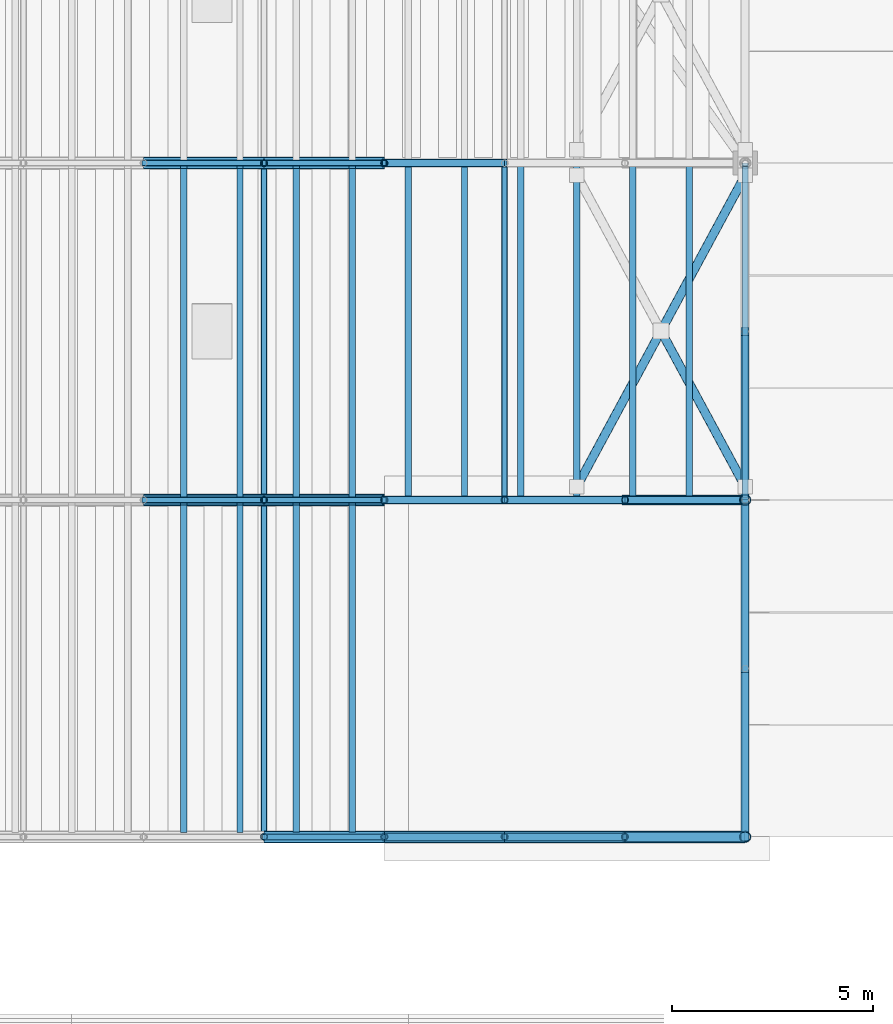
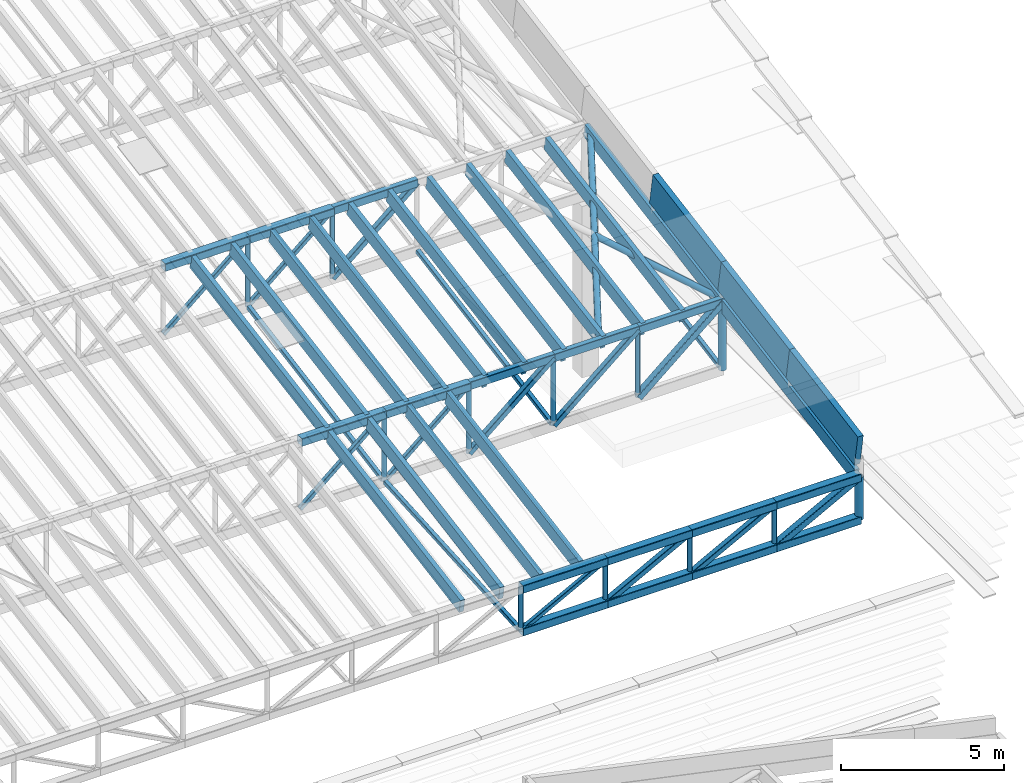
# One storey, part 47 of 91: 62 members, 3 beams.
"""IFC4 building model written with IfcOpenShell, lengths in metres."""

from ifc_helpers import new_model, si_unit, direction, frame, origin, origin_2d, place, context, subcontext, project, spatial, rectangle, hollow_rectangle, hollow_circle, extrude, material, material_profile, profile_set, type_object, element, save


model = new_model("IFC4")

# Units and contexts
model_context = context("Model", 3, precision=1e-05, world=origin(), true_north=direction((0.0, 1.0)))
body_context = subcontext(model_context, "Body", "Model", "MODEL_VIEW")
ifc_project = project(units=[si_unit("LENGTHUNIT", "METRE"), si_unit("AREAUNIT", "SQUARE_METRE"), si_unit("VOLUMEUNIT", "CUBIC_METRE"), si_unit("PLANEANGLEUNIT", "RADIAN"), si_unit("MASSUNIT", "GRAM", prefix="KILO")], contexts=[model_context])

# Site, building, storey
site_placement = place(None, origin())
site = spatial("IfcSite", under=ifc_project, at=site_placement, CompositionType="ELEMENT")
building_placement = place(site_placement, origin())
building = spatial("IfcBuilding", under=site, at=building_placement, Name="Almond Square Museum", CompositionType="ELEMENT")
storey_placement = place(building_placement, frame((0.0, 0.0, 30.0)))
storey = spatial("IfcBuildingStorey", under=building, at=storey_placement, Name="L05", CompositionType="ELEMENT", Elevation=30.0)

# Members
ifc_material_1 = material(Name="Glulam GL28h", Category="wood")
ifc_material_profile_1 = material_profile(ifc_material_1, rectangle(XDim=0.159912109375, YDim=0.5, at=origin_2d()))
ifc_profile_set_1 = profile_set([ifc_material_profile_1], Name="Glulam GL28h")
member_type_1 = type_object("IfcMemberType", Name="Glulam rafter GL28h 160x500", PredefinedType="RAFTER", material=ifc_profile_set_1)
for number, where, z_axis, x_axis, name in (
    (1, (134.800048828125, 50.550048828125, 6.1708984375), (0.0, 0.985026965331, 0.172400340983), (-1.0, 0.0, 0.0), "Hall rafter 1.21"),
    (2, (136.199951171875, 50.550048828125, 6.1708984375), (0.0, 0.985026965331, 0.172400340983), (-1.0, 0.0, 0.0), "Hall rafter 1.22"),
    (3, (137.60009765625, 50.550048828125, 6.1708984375), (0.0, 0.985026965331, 0.172400340983), (-1.0, 0.0, 0.0), "Hall rafter 1.23"),
    (4, (139.0, 50.550048828125, 6.1708984375), (0.0, 0.985026965331, 0.172400340983), (-1.0, 0.0, 0.0), "Hall rafter 1.24"),
):
    element("IfcMember", number, at=place(storey_placement, frame(where, z_axis=z_axis, x_axis=x_axis)), inside=storey, type_object=member_type_1, Name=name, PredefinedType="RAFTER", context=body_context, shape_type="SweptSolid", body=[
        extrude(rectangle(XDim=0.159912109375, YDim=0.5, at=origin_2d()), origin(), (0.0, 0.0, 1.0), 8.287109375),
    ])
member_1_placement = place(storey_placement, frame((148.800048828125, 50.550048828125, 6.1708984375), z_axis=(0.0, 0.985031337218, 0.172375359894), x_axis=(-1.0, 0.0, 0.0)))
element("IfcMember", 5, at=member_1_placement, inside=storey, type_object=member_type_1, Name="Hall rafter 1.31", PredefinedType="RAFTER", context=body_context, shape_type="SweptSolid", body=[
    extrude(rectangle(XDim=0.159912109375, YDim=0.5, at=origin_2d()), origin(), (0.0, 0.0, 1.0), 8.337890625),
])
for number, where, z_axis, x_axis, name in (
    (6, (134.800048828125, 58.830078125, 7.619873046875), (0.0, 0.985026646226, 0.172402164214), (-1.0, 0.0, 0.0), "Hall rafter 2.21"),
    (7, (136.199951171875, 58.830078125, 7.619873046875), (0.0, 0.985026646226, 0.172402164214), (-1.0, 0.0, 0.0), "Hall rafter 2.22"),
    (8, (137.60009765625, 58.830078125, 7.619873046875), (0.0, 0.985026646226, 0.172402164214), (-1.0, 0.0, 0.0), "Hall rafter 2.23"),
    (9, (139.0, 58.830078125, 7.619873046875), (0.0, 0.985026646226, 0.172402164214), (-1.0, 0.0, 0.0), "Hall rafter 2.24"),
):
    element("IfcMember", number, at=place(storey_placement, frame(where, z_axis=z_axis, x_axis=x_axis)), inside=storey, type_object=member_type_1, Name=name, PredefinedType="RAFTER", context=body_context, shape_type="SweptSolid", body=[
        extrude(rectangle(XDim=0.159912109375, YDim=0.5, at=origin_2d()), origin(), (0.0, 0.0, 1.0), 8.408935546875),
    ])
for number, where, z_axis, x_axis, name in (
    (10, (140.39990234375, 58.830078125, 7.619873046875), (0.0, 0.985030957185, 0.172377531562), (-1.0, 0.0, 0.0), "Hall rafter 2.25"),
    (11, (141.800048828125, 58.830078125, 7.619873046875), (0.0, 0.985030957185, 0.172377531562), (-1.0, 0.0, 0.0), "Hall rafter 2.26"),
    (12, (143.199951171875, 58.830078125, 7.619873046875), (0.0, 0.985030957185, 0.172377531562), (-1.0, 0.0, 0.0), "Hall rafter 2.27"),
    (13, (144.60009765625, 58.830078125, 7.619873046875), (0.0, 0.985030957185, 0.172377531562), (-1.0, 0.0, 0.0), "Hall rafter 2.28"),
    (14, (146.0, 58.830078125, 7.619873046875), (0.0, 0.985030957185, 0.172377531562), (-1.0, 0.0, 0.0), "Hall rafter 2.29"),
    (15, (147.39990234375, 58.830078125, 7.619873046875), (0.0, 0.985030957185, 0.172377531562), (-1.0, 0.0, 0.0), "Hall rafter 2.30"),
    (16, (148.800048828125, 58.830078125, 7.619873046875), (0.0, 0.985030957185, 0.172377531562), (-1.0, 0.0, 0.0), "Hall rafter 2.31"),
):
    element("IfcMember", number, at=place(storey_placement, frame(where, z_axis=z_axis, x_axis=x_axis)), inside=storey, type_object=member_type_1, Name=name, PredefinedType="RAFTER", context=body_context, shape_type="SweptSolid", body=[
        extrude(rectangle(XDim=0.159912109375, YDim=0.5, at=origin_2d()), origin(), (0.0, 0.0, 1.0), 8.459716796875),
    ])

# Beams
ifc_material_2 = material(Name="Glulam GL28h", Category="wood")
ifc_material_profile_2 = material_profile(ifc_material_2, rectangle(XDim=0.199951171875, YDim=1.199951171875, at=origin_2d()))
ifc_profile_set_2 = profile_set([ifc_material_profile_2], Name="Glulam GL28h")
beam_type = type_object("IfcBeamType", Name="Rake fascia beam GL28h 200x1200", PredefinedType="BEAM", material=ifc_profile_set_2)
beam_1_placement = place(storey_placement, frame((148.800048828125, 50.39990234375, 7.199951171875), z_axis=(0.0, 0.98502755041, 0.17239699804), x_axis=(-1.0, 0.0, 0.0)))
element("IfcBeam", 17, at=beam_1_placement, inside=storey, type_object=beam_type, Name="Gable rake fascia E 1", PredefinedType="BEAM", context=body_context, shape_type="SweptSolid", body=[
    extrude(rectangle(XDim=0.199951171875, YDim=1.199951171875, at=origin_2d()), origin(), (0.0, 0.0, 1.0), 4.26416015625),
])
beam_2_placement = place(storey_placement, frame((148.800048828125, 54.60009765625, 7.93505859375), z_axis=(0.0, 0.98503557112, 0.172351163697), x_axis=(-1.0, 0.0, 0.0)))
element("IfcBeam", 18, at=beam_2_placement, inside=storey, type_object=beam_type, Name="Gable rake fascia E 2", PredefinedType="BEAM", context=body_context, shape_type="SweptSolid", body=[
    extrude(rectangle(XDim=0.199951171875, YDim=1.199951171875, at=origin_2d()), origin(), (0.0, 0.0, 1.0), 4.263671875),
])
beam_3_placement = place(storey_placement, frame((148.800048828125, 58.800048828125, 8.669921875), z_axis=(0.0, 0.985025848584, 0.172406721507), x_axis=(-1.0, 0.0, 0.0)))
element("IfcBeam", 19, at=beam_3_placement, inside=storey, type_object=beam_type, Name="Gable rake fascia E 3", PredefinedType="BEAM", context=body_context, shape_type="SweptSolid", body=[
    extrude(rectangle(XDim=0.199951171875, YDim=1.199951171875, at=origin_2d()), origin(), (0.0, 0.0, 1.0), 4.263916015625),
])

# Members
ifc_material_3 = material(Name="Structural steel S355", Category="steel")
ifc_material_profile_3 = material_profile(ifc_material_3, hollow_circle(Radius=0.109619140625, WallThickness=0.010009765625, at=origin_2d()))
ifc_profile_set_3 = profile_set([ifc_material_profile_3], Name="Structural steel S355")
member_type_2 = type_object("IfcMemberType", Name="Roof brace CHS 219.1x10", PredefinedType="BRACE", material=ifc_profile_set_3)
member_2_placement = place(storey_placement, frame((144.60009765625, 59.1298828125, 7.67236328125), z_axis=(0.469974280677, 0.869464712946, 0.15216861846), x_axis=(-0.879709326121, 0.475511831121, 0.0)))
element("IfcMember", 20, at=member_2_placement, inside=storey, type_object=member_type_2, Name="Hall roof plane brace 2", PredefinedType="BRACE", context=body_context, shape_type="SweptSolid", body=[
    extrude(hollow_circle(Radius=0.109619140625, WallThickness=0.010009765625, at=origin_2d()), origin(), (0.0, 0.0, 1.0), 8.9365234375),
])
member_3_placement = place(storey_placement, frame((148.800048828125, 59.1298828125, 7.67236328125), z_axis=(-0.46999556541, 0.86945354945, 0.15216666469), x_axis=(-0.879697763355, -0.475533221918, 0.0)))
element("IfcMember", 21, at=member_3_placement, inside=storey, type_object=member_type_2, Name="Hall roof plane brace 2", PredefinedType="BRACE", context=body_context, shape_type="SweptSolid", body=[
    extrude(hollow_circle(Radius=0.109619140625, WallThickness=0.010009765625, at=origin_2d()), origin(), (0.0, 0.0, 1.0), 4.46826171875),
])
ifc_material_4 = material(Name="Structural steel S355", Category="steel")
ifc_material_profile_4 = material_profile(ifc_material_4, hollow_rectangle(XDim=0.199951171875, YDim=0.300048828125, WallThickness=0.010009765625, InnerFilletRadius=0.014892578125, OuterFilletRadius=0.02490234375, at=origin_2d()))
ifc_profile_set_4 = profile_set([ifc_material_profile_4], Name="Structural steel S355")
member_type_3 = type_object("IfcMemberType", Name="Truss chord RHS 300x200x10", PredefinedType="CHORD", material=ifc_profile_set_4)
for number, where, z_axis, x_axis, name in (
    (22, (139.800048828125, 58.800048828125, 7.718505859375), (1.0, 0.0, 0.0), (0.0, 1.0, 0.0), "TR-02 top chord 12"),
    (23, (142.800048828125, 58.800048828125, 7.718505859375), (1.0, 0.0, 0.0), (0.0, 1.0, 0.0), "TR-02 top chord 13"),
    (24, (145.800048828125, 58.800048828125, 7.718505859375), (1.0, 0.0, 0.0), (0.0, 1.0, 0.0), "TR-02 top chord 14"),
    (25, (139.800048828125, 67.199951171875, 9.1884765625), (1.0, 0.0, 0.0), (0.0, 1.0, 0.0), "TR-03 top chord 12"),
):
    element("IfcMember", number, at=place(storey_placement, frame(where, z_axis=z_axis, x_axis=x_axis)), inside=storey, type_object=member_type_3, Name=name, PredefinedType="CHORD", context=body_context, shape_type="SweptSolid", body=[
        extrude(hollow_rectangle(XDim=0.199951171875, YDim=0.300048828125, WallThickness=0.010009765625, InnerFilletRadius=0.014892578125, OuterFilletRadius=0.02490234375, at=origin_2d()), origin(), (0.0, 0.0, 1.0), 3.0),
    ])
ifc_material_5 = material(Name="Structural steel S355", Category="steel")
ifc_material_profile_5 = material_profile(ifc_material_5, hollow_rectangle(XDim=0.300048828125, YDim=0.300048828125, WallThickness=0.012451171875, InnerFilletRadius=0.02490234375, OuterFilletRadius=0.03759765625, at=origin_2d()))
ifc_profile_set_5 = profile_set([ifc_material_profile_5], Name="Structural steel S355")
member_type_4 = type_object("IfcMemberType", Name="Truss chord SHS 300x300x12.5", PredefinedType="CHORD", material=ifc_profile_set_5)
for number, where, z_axis, x_axis, name in (
    (26, (136.800048828125, 50.39990234375, 6.24853515625), (1.0, 0.0, 0.0), (0.0, 1.0, 0.0), "TR-01 top chord 11"),
    (27, (136.800048828125, 50.39990234375, 4.64990234375), (1.0, 0.0, 0.0), (0.0, 1.0, 0.0), "TR-01 bottom chord 11"),
    (28, (139.800048828125, 50.39990234375, 6.24853515625), (1.0, 0.0, 0.0), (0.0, 1.0, 0.0), "TR-01 top chord 12"),
    (29, (139.800048828125, 50.39990234375, 4.64990234375), (1.0, 0.0, 0.0), (0.0, 1.0, 0.0), "TR-01 bottom chord 12"),
    (30, (142.800048828125, 50.39990234375, 6.24853515625), (1.0, 0.0, 0.0), (0.0, 1.0, 0.0), "TR-01 top chord 13"),
    (31, (142.800048828125, 50.39990234375, 4.64990234375), (1.0, 0.0, 0.0), (0.0, 1.0, 0.0), "TR-01 bottom chord 13"),
    (32, (145.800048828125, 50.39990234375, 6.24853515625), (1.0, 0.0, 0.0), (0.0, 1.0, 0.0), "TR-01 top chord 14"),
    (33, (145.800048828125, 50.39990234375, 4.64990234375), (1.0, 0.0, 0.0), (0.0, 1.0, 0.0), "TR-01 bottom chord 14"),
    (34, (133.800048828125, 58.800048828125, 7.718505859375), (1.0, 0.0, 0.0), (0.0, 1.0, 0.0), "TR-02 top chord 10"),
    (35, (136.800048828125, 58.800048828125, 7.718505859375), (1.0, 0.0, 0.0), (0.0, 1.0, 0.0), "TR-02 top chord 11"),
    (36, (133.800048828125, 67.199951171875, 9.1884765625), (1.0, 0.0, 0.0), (0.0, 1.0, 0.0), "TR-03 top chord 10"),
    (37, (136.800048828125, 67.199951171875, 9.1884765625), (1.0, 0.0, 0.0), (0.0, 1.0, 0.0), "TR-03 top chord 11"),
):
    element("IfcMember", number, at=place(storey_placement, frame(where, z_axis=z_axis, x_axis=x_axis)), inside=storey, type_object=member_type_4, Name=name, PredefinedType="CHORD", context=body_context, shape_type="SweptSolid", body=[
        extrude(hollow_rectangle(XDim=0.300048828125, YDim=0.300048828125, WallThickness=0.012451171875, InnerFilletRadius=0.02490234375, OuterFilletRadius=0.03759765625, at=origin_2d()), origin(), (0.0, 0.0, 1.0), 3.0),
    ])
ifc_material_6 = material(Name="Structural steel S355", Category="steel")
ifc_material_profile_6 = material_profile(ifc_material_6, hollow_rectangle(XDim=0.14990234375, YDim=0.14990234375, WallThickness=0.008056640625, InnerFilletRadius=0.011962890625, OuterFilletRadius=0.02001953125, at=origin_2d()))
ifc_profile_set_6 = profile_set([ifc_material_profile_6], Name="Structural steel S355")
member_type_5 = type_object("IfcMemberType", Name="Truss diagonal SHS 150x150x8", PredefinedType="BRACE", material=ifc_profile_set_6)
member_4_placement = place(storey_placement, frame((136.800048828125, 50.39990234375, 4.64990234375), z_axis=(0.882519884946, 0.0, 0.47027508192), x_axis=(0.0, 1.0, 0.0)))
element("IfcMember", 38, at=member_4_placement, inside=storey, type_object=member_type_5, Name="TR-01 diagonal 11", PredefinedType="BRACE", context=body_context, shape_type="SweptSolid", body=[
    extrude(hollow_rectangle(XDim=0.14990234375, YDim=0.14990234375, WallThickness=0.008056640625, InnerFilletRadius=0.011962890625, OuterFilletRadius=0.02001953125, at=origin_2d()), origin(), (0.0, 0.0, 1.0), 3.3994140625),
])
for number, where, z_axis, x_axis, name in (
    (39, (133.800048828125, 58.800048828125, 5.169921875), (0.762116801264, 0.0, 0.647439557975), (0.0, 1.0, 0.0), "TR-02 diagonal 10"),
    (40, (136.800048828125, 58.800048828125, 5.169921875), (0.762116801264, 0.0, 0.647439557975), (0.0, 1.0, 0.0), "TR-02 diagonal 11"),
    (41, (133.800048828125, 67.199951171875, 6.639892578125), (0.762116801264, 0.0, 0.647439557975), (0.0, 1.0, 0.0), "TR-03 diagonal 10"),
    (42, (136.800048828125, 67.199951171875, 6.639892578125), (0.762116801264, 0.0, 0.647439557975), (0.0, 1.0, 0.0), "TR-03 diagonal 11"),
):
    element("IfcMember", number, at=place(storey_placement, frame(where, z_axis=z_axis, x_axis=x_axis)), inside=storey, type_object=member_type_5, Name=name, PredefinedType="BRACE", context=body_context, shape_type="SweptSolid", body=[
        extrude(hollow_rectangle(XDim=0.14990234375, YDim=0.14990234375, WallThickness=0.008056640625, InnerFilletRadius=0.011962890625, OuterFilletRadius=0.02001953125, at=origin_2d()), origin(), (0.0, 0.0, 1.0), 3.9365234375),
    ])
ifc_material_7 = material(Name="Structural steel S355", Category="steel")
ifc_material_profile_7 = material_profile(ifc_material_7, hollow_rectangle(XDim=0.199951171875, YDim=0.199951171875, WallThickness=0.010009765625, InnerFilletRadius=0.014892578125, OuterFilletRadius=0.02490234375, at=origin_2d()))
ifc_profile_set_7 = profile_set([ifc_material_profile_7], Name="Structural steel S355")
member_type_6 = type_object("IfcMemberType", Name="Truss diagonal SHS 200x200x10", PredefinedType="BRACE", material=ifc_profile_set_7)
for number, where, z_axis, x_axis, name in (
    (43, (139.800048828125, 50.39990234375, 4.64990234375), (0.882519884946, 0.0, 0.47027508192), (0.0, 1.0, 0.0), "TR-01 diagonal 12"),
    (44, (142.800048828125, 50.39990234375, 4.64990234375), (0.882519884946, 0.0, 0.47027508192), (0.0, 1.0, 0.0), "TR-01 diagonal 13"),
):
    element("IfcMember", number, at=place(storey_placement, frame(where, z_axis=z_axis, x_axis=x_axis)), inside=storey, type_object=member_type_6, Name=name, PredefinedType="BRACE", context=body_context, shape_type="SweptSolid", body=[
        extrude(hollow_rectangle(XDim=0.199951171875, YDim=0.199951171875, WallThickness=0.010009765625, InnerFilletRadius=0.014892578125, OuterFilletRadius=0.02490234375, at=origin_2d()), origin(), (0.0, 0.0, 1.0), 3.3994140625),
    ])
for number, where, z_axis, x_axis, name in (
    (45, (139.800048828125, 58.800048828125, 5.169921875), (0.762116801264, 0.0, 0.647439557975), (0.0, 1.0, 0.0), "TR-02 diagonal 12"),
    (46, (142.800048828125, 58.800048828125, 5.169921875), (0.762116801264, 0.0, 0.647439557975), (0.0, 1.0, 0.0), "TR-02 diagonal 13"),
    (47, (139.800048828125, 67.199951171875, 6.639892578125), (0.762116801264, 0.0, 0.647439557975), (0.0, 1.0, 0.0), "TR-03 diagonal 12"),
):
    element("IfcMember", number, at=place(storey_placement, frame(where, z_axis=z_axis, x_axis=x_axis)), inside=storey, type_object=member_type_6, Name=name, PredefinedType="BRACE", context=body_context, shape_type="SweptSolid", body=[
        extrude(hollow_rectangle(XDim=0.199951171875, YDim=0.199951171875, WallThickness=0.010009765625, InnerFilletRadius=0.014892578125, OuterFilletRadius=0.02490234375, at=origin_2d()), origin(), (0.0, 0.0, 1.0), 3.9365234375),
    ])
ifc_material_8 = material(Name="Structural steel S355", Category="steel")
ifc_material_profile_8 = material_profile(ifc_material_8, hollow_rectangle(XDim=0.25, YDim=0.25, WallThickness=0.012451171875, InnerFilletRadius=0.02490234375, OuterFilletRadius=0.03759765625, at=origin_2d()))
ifc_profile_set_8 = profile_set([ifc_material_profile_8], Name="Structural steel S355")
member_type_7 = type_object("IfcMemberType", Name="Truss diagonal SHS 250x250x12.5", PredefinedType="BRACE", material=ifc_profile_set_8)
member_5_placement = place(storey_placement, frame((145.800048828125, 50.39990234375, 4.64990234375), z_axis=(0.882519884946, 0.0, 0.47027508192), x_axis=(0.0, 1.0, 0.0)))
element("IfcMember", 48, at=member_5_placement, inside=storey, type_object=member_type_7, Name="TR-01 diagonal 14", PredefinedType="BRACE", context=body_context, shape_type="SweptSolid", body=[
    extrude(hollow_rectangle(XDim=0.25, YDim=0.25, WallThickness=0.012451171875, InnerFilletRadius=0.02490234375, OuterFilletRadius=0.03759765625, at=origin_2d()), origin(), (0.0, 0.0, 1.0), 3.3994140625),
])
member_6_placement = place(storey_placement, frame((145.800048828125, 58.800048828125, 5.169921875), z_axis=(0.762116801264, 0.0, 0.647439557975), x_axis=(0.0, 1.0, 0.0)))
element("IfcMember", 49, at=member_6_placement, inside=storey, type_object=member_type_7, Name="TR-02 diagonal 14", PredefinedType="BRACE", context=body_context, shape_type="SweptSolid", body=[
    extrude(hollow_rectangle(XDim=0.25, YDim=0.25, WallThickness=0.012451171875, InnerFilletRadius=0.02490234375, OuterFilletRadius=0.03759765625, at=origin_2d()), origin(), (0.0, 0.0, 1.0), 3.9365234375),
])
ifc_material_9 = material(Name="Structural steel S355", Category="steel")
ifc_material_profile_9 = material_profile(ifc_material_9, hollow_circle(Radius=0.084228515625, WallThickness=0.008056640625, at=origin_2d()))
ifc_profile_set_9 = profile_set([ifc_material_profile_9], Name="Structural steel S355")
member_type_8 = type_object("IfcMemberType", Name="Truss post CHS 168.3x8", PredefinedType="POST", material=ifc_profile_set_9)
for number, where, z_axis, x_axis, name in (
    (50, (136.800048828125, 50.39990234375, 4.64990234375), (0.0, 0.0, 1.0), (1.0, 0.0, 0.0), "TR-01 post 11"),
    (51, (139.800048828125, 50.39990234375, 4.64990234375), (0.0, 0.0, 1.0), (1.0, 0.0, 0.0), "TR-01 post 12"),
    (52, (142.800048828125, 50.39990234375, 4.64990234375), (0.0, 0.0, 1.0), (1.0, 0.0, 0.0), "TR-01 post 13"),
    (53, (145.800048828125, 50.39990234375, 4.64990234375), (0.0, 0.0, 1.0), (1.0, 0.0, 0.0), "TR-01 post 14"),
):
    element("IfcMember", number, at=place(storey_placement, frame(where, z_axis=z_axis, x_axis=x_axis)), inside=storey, type_object=member_type_8, Name=name, PredefinedType="POST", context=body_context, shape_type="SweptSolid", body=[
        extrude(hollow_circle(Radius=0.084228515625, WallThickness=0.008056640625, at=origin_2d()), origin(), (0.0, 0.0, 1.0), 1.5986328125),
    ])
for number, where, z_axis, x_axis, name in (
    (54, (136.800048828125, 58.800048828125, 5.169921875), (0.0, 0.0, 1.0), (1.0, 0.0, 0.0), "TR-02 post 11"),
    (55, (139.800048828125, 58.800048828125, 5.169921875), (0.0, 0.0, 1.0), (1.0, 0.0, 0.0), "TR-02 post 12"),
    (56, (142.800048828125, 58.800048828125, 5.169921875), (0.0, 0.0, 1.0), (1.0, 0.0, 0.0), "TR-02 post 13"),
    (57, (145.800048828125, 58.800048828125, 5.169921875), (0.0, 0.0, 1.0), (1.0, 0.0, 0.0), "TR-02 post 14"),
    (58, (136.800048828125, 67.199951171875, 6.639892578125), (0.0, 0.0, 1.0), (1.0, 0.0, 0.0), "TR-03 post 11"),
    (59, (139.800048828125, 67.199951171875, 6.639892578125), (0.0, 0.0, 1.0), (1.0, 0.0, 0.0), "TR-03 post 12"),
):
    element("IfcMember", number, at=place(storey_placement, frame(where, z_axis=z_axis, x_axis=x_axis)), inside=storey, type_object=member_type_8, Name=name, PredefinedType="POST", context=body_context, shape_type="SweptSolid", body=[
        extrude(hollow_circle(Radius=0.084228515625, WallThickness=0.008056640625, at=origin_2d()), origin(), (0.0, 0.0, 1.0), 2.548583984375),
    ])
ifc_material_10 = material(Name="Structural steel S355", Category="steel")
ifc_material_profile_10 = material_profile(ifc_material_10, hollow_circle(Radius=0.136474609375, WallThickness=0.012451171875, at=origin_2d()))
ifc_profile_set_10 = profile_set([ifc_material_profile_10], Name="Structural steel S355")
member_type_9 = type_object("IfcMemberType", Name="Truss post CHS 273x12.5", PredefinedType="POST", material=ifc_profile_set_10)
member_7_placement = place(storey_placement, frame((148.800048828125, 50.39990234375, 4.64990234375), z_axis=(0.0, 0.0, 1.0), x_axis=(1.0, 0.0, 0.0)))
element("IfcMember", 60, at=member_7_placement, inside=storey, type_object=member_type_9, Name="TR-01 post 15", PredefinedType="POST", context=body_context, shape_type="SweptSolid", body=[
    extrude(hollow_circle(Radius=0.136474609375, WallThickness=0.012451171875, at=origin_2d()), origin(), (0.0, 0.0, 1.0), 1.5986328125),
])
member_8_placement = place(storey_placement, frame((148.800048828125, 58.800048828125, 5.169921875), z_axis=(0.0, 0.0, 1.0), x_axis=(1.0, 0.0, 0.0)))
element("IfcMember", 61, at=member_8_placement, inside=storey, type_object=member_type_9, Name="TR-02 post 15", PredefinedType="POST", context=body_context, shape_type="SweptSolid", body=[
    extrude(hollow_circle(Radius=0.136474609375, WallThickness=0.012451171875, at=origin_2d()), origin(), (0.0, 0.0, 1.0), 2.548583984375),
])
ifc_material_11 = material(Name="Structural steel S355", Category="steel")
ifc_material_profile_11 = material_profile(ifc_material_11, hollow_rectangle(XDim=0.14990234375, YDim=0.14990234375, WallThickness=0.008056640625, InnerFilletRadius=0.011962890625, OuterFilletRadius=0.02001953125, at=origin_2d()))
ifc_profile_set_11 = profile_set([ifc_material_profile_11], Name="Structural steel S355")
member_type_10 = type_object("IfcMemberType", Name="Truss tie SHS 150x150x8", PredefinedType="MEMBER", material=ifc_profile_set_11)
member_9_placement = place(storey_placement, frame((136.800048828125, 50.52490234375, 4.64990234375), z_axis=(0.0, 0.997995281328, 0.06328837529), x_axis=(-1.0, 0.0, 0.0)))
element("IfcMember", 62, at=member_9_placement, inside=storey, type_object=member_type_10, Name="Hall bay 1 tie 6", PredefinedType="MEMBER", context=body_context, shape_type="SweptSolid", body=[
    extrude(hollow_rectangle(XDim=0.14990234375, YDim=0.14990234375, WallThickness=0.008056640625, InnerFilletRadius=0.011962890625, OuterFilletRadius=0.02001953125, at=origin_2d()), origin(), (0.0, 0.0, 1.0), 8.216552734375),
])
for number, where, z_axis, x_axis, name in (
    (63, (136.800048828125, 58.875, 5.169921875), (0.0, 0.984494486924, 0.175415521596), (-1.0, 0.0, 0.0), "Hall bay 2 tie 6"),
    (64, (142.800048828125, 58.875, 5.169921875), (0.0, 0.984494486924, 0.175415521596), (-1.0, 0.0, 0.0), "Hall bay 2 tie 7"),
    (65, (148.800048828125, 58.875, 5.169921875), (0.0, 0.984494486924, 0.175415521596), (-1.0, 0.0, 0.0), "Hall bay 2 tie 8"),
):
    element("IfcMember", number, at=place(storey_placement, frame(where, z_axis=z_axis, x_axis=x_axis)), inside=storey, type_object=member_type_10, Name=name, PredefinedType="MEMBER", context=body_context, shape_type="SweptSolid", body=[
        extrude(hollow_rectangle(XDim=0.14990234375, YDim=0.14990234375, WallThickness=0.008056640625, InnerFilletRadius=0.011962890625, OuterFilletRadius=0.02001953125, at=origin_2d()), origin(), (0.0, 0.0, 1.0), 8.3798828125),
    ])

save(model, "model.ifc")
